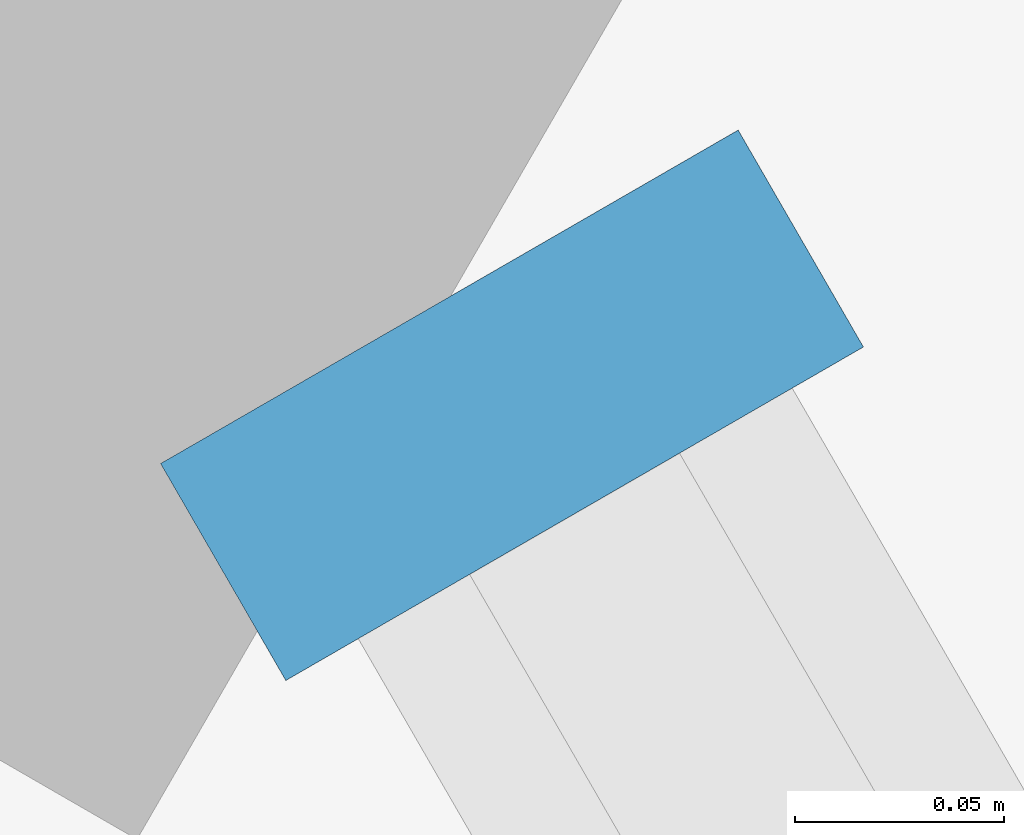
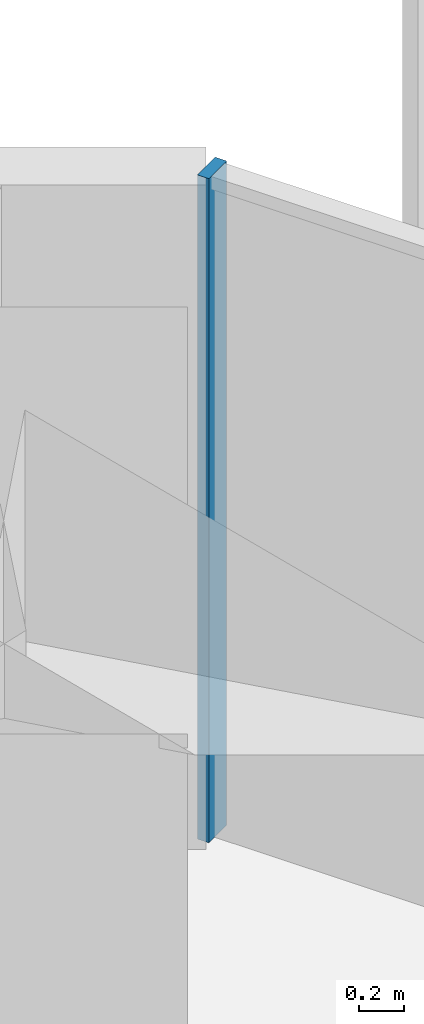
# One storey, part 111 of 127: 1 member, 1 element without a shape of its own.
"""IFC4 building model written with IfcOpenShell, lengths in metres."""

from ifc_helpers import new_model, si_unit, direction, frame, origin, origin_2d, place, context, subcontext, project, spatial, rectangle, extrude, material, material_profile, profile_set, type_object, element, aggregate, save


model = new_model("IFC4")

# Units and contexts
model_context = context("Model", 3, precision=1e-05, world=origin(), true_north=direction((0.0, 1.0)))
body_context = subcontext(model_context, "Body", "Model", "MODEL_VIEW")
ifc_project = project(units=[si_unit("LENGTHUNIT", "METRE"), si_unit("AREAUNIT", "SQUARE_METRE"), si_unit("VOLUMEUNIT", "CUBIC_METRE"), si_unit("PLANEANGLEUNIT", "RADIAN"), si_unit("MASSUNIT", "GRAM", prefix="KILO")], contexts=[model_context])

# Site, building, storey
site_placement = place(None, origin())
site = spatial("IfcSite", under=ifc_project, at=site_placement, CompositionType="ELEMENT")
building_placement = place(site_placement, origin())
building = spatial("IfcBuilding", under=site, at=building_placement, Name="Sandreach Pilgrim Tower", CompositionType="ELEMENT")
storey_placement = place(building_placement, frame((0.0, 0.0, 257.0)))
storey = spatial("IfcBuildingStorey", under=building, at=storey_placement, Name="L64", CompositionType="ELEMENT", Elevation=257.0)

# Curtain wall, member
ifc_material_1 = material(Name="Aluminium framed curtain wall", Category="aluminium")
curtain_wall_type = type_object("IfcCurtainWallType", Name="Suite tower curtain wall", PredefinedType="NOTDEFINED", material=ifc_material_1)
curtain_wall_placement = place(storey_placement, origin())
curtain_wall = element("IfcCurtainWall", 1, at=curtain_wall_placement, inside=storey, type_object=curtain_wall_type, Name="CW-4 L64 NE", PredefinedType="NOTDEFINED")
ifc_material_2 = material(Name="Aluminium extrusion", Category="aluminium")
ifc_material_profile = material_profile(ifc_material_2, rectangle(XDim=0.06005859375, YDim=0.159912109375, at=origin_2d()), Name="CW-4M 60X160")
ifc_profile_set = profile_set([ifc_material_profile], Name="Aluminium extrusion")
member_type = type_object("IfcMemberType", Name="CW-4 mullion", PredefinedType="MULLION", material=ifc_profile_set)
member_placement = place(storey_placement, frame((17.7509765625, 18.970458984375, 0.0), z_axis=(0.0, 0.0, 1.0), x_axis=(0.5, -0.866025403784, 0.0)))
member = element("IfcMember", 2, at=member_placement, type_object=member_type, Name="CW-4 mullion 1", PredefinedType="MULLION", context=body_context, shape_type="SweptSolid", body=[
    extrude(rectangle(XDim=0.06005859375, YDim=0.159912109375, at=origin_2d()), origin(), (0.0, 0.0, 1.0), 3.639892578125),
])
aggregate(curtain_wall, [member])

save(model, "model.ifc")
